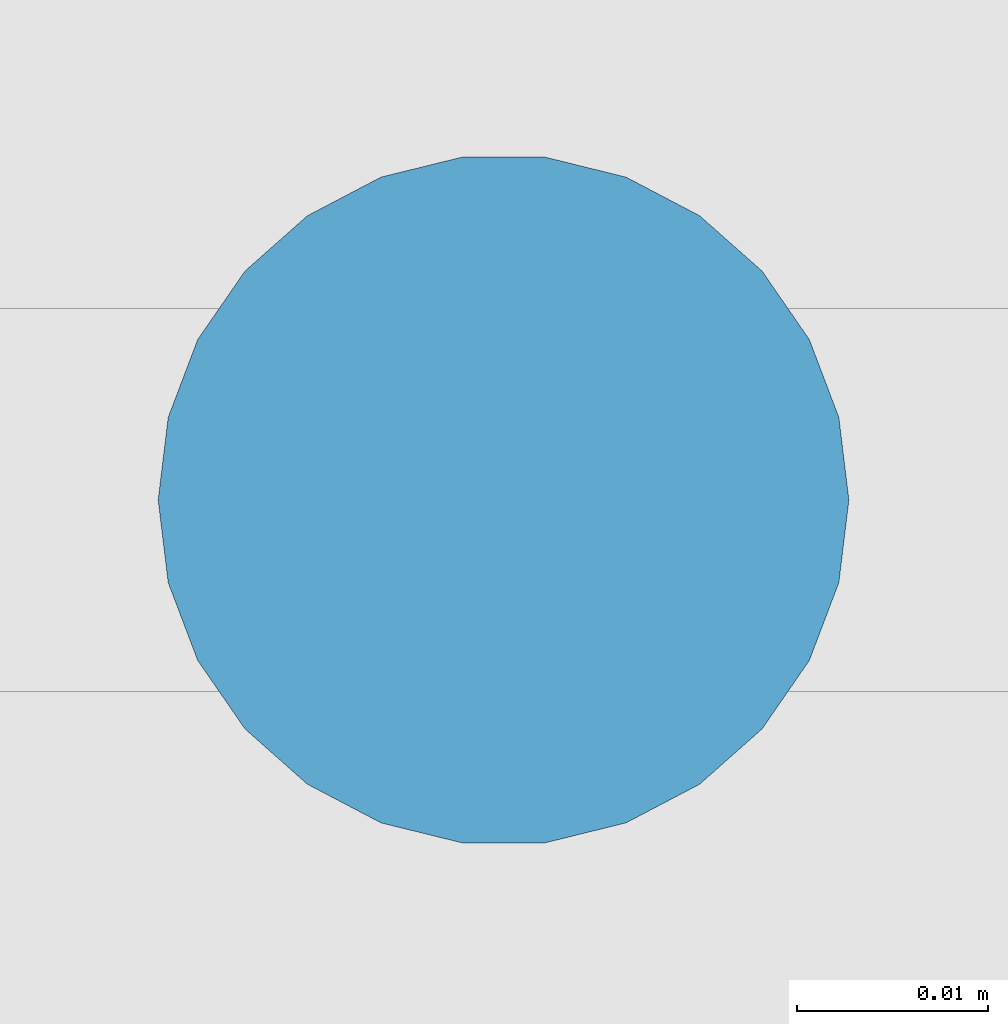
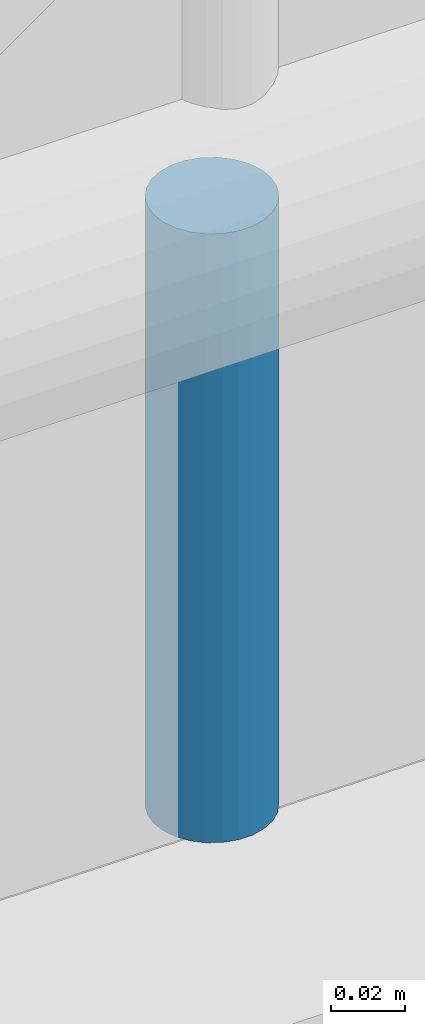
# One storey, part 240 of 321: 1 member.
"""IFC4 building model written with IfcOpenShell, lengths in metres."""

from ifc_helpers import new_model, si_unit, direction, frame, origin, origin_2d, place, context, subcontext, project, spatial, circle, extrude, material, material_profile, profile_set, type_object, element, save


model = new_model("IFC4")

# Units and contexts
model_context = context("Model", 3, precision=1e-05, world=origin(), true_north=direction((0.0, 1.0)))
body_context = subcontext(model_context, "Body", "Model", "MODEL_VIEW")
ifc_project = project(units=[si_unit("LENGTHUNIT", "METRE"), si_unit("AREAUNIT", "SQUARE_METRE"), si_unit("VOLUMEUNIT", "CUBIC_METRE"), si_unit("PLANEANGLEUNIT", "RADIAN"), si_unit("MASSUNIT", "GRAM", prefix="KILO")], contexts=[model_context])

# Site, building, storey
site_placement = place(None, origin())
site = spatial("IfcSite", under=ifc_project, at=site_placement, CompositionType="ELEMENT")
building_placement = place(site_placement, origin())
building = spatial("IfcBuilding", under=site, at=building_placement, Name="Ravi Spectrum Wholesale Market", CompositionType="ELEMENT")
storey_placement = place(building_placement, frame((0.0, 0.0, 10.800048828125)))
storey = spatial("IfcBuildingStorey", under=building, at=storey_placement, Name="L02", CompositionType="ELEMENT", Elevation=10.800048828125)

# Member
ifc_material = material(Name="Steel S355", Category="steel")
ifc_material_profile = material_profile(ifc_material, circle(Radius=0.01806640625, at=origin_2d()))
ifc_profile_set = profile_set([ifc_material_profile], Name="Steel S355")
member_type = type_object("IfcMemberType", Name="ROD 36 hanger", PredefinedType="STRUT", material=ifc_profile_set)
member_placement = place(storey_placement, frame((43.88427734375, 198.0, 0.0), z_axis=(0.0, 0.0, -1.0), x_axis=(1.0, 0.0, 0.0)))
element("IfcMember", 1, at=member_placement, inside=storey, type_object=member_type, Name="H1-MB-L02-1733", PredefinedType="STRUT", context=body_context, shape_type="SweptSolid", body=[
    extrude(circle(Radius=0.01806640625, at=origin_2d()), origin(), (0.0, 0.0, 1.0), 0.199951171875),
])

save(model, "model.ifc")
